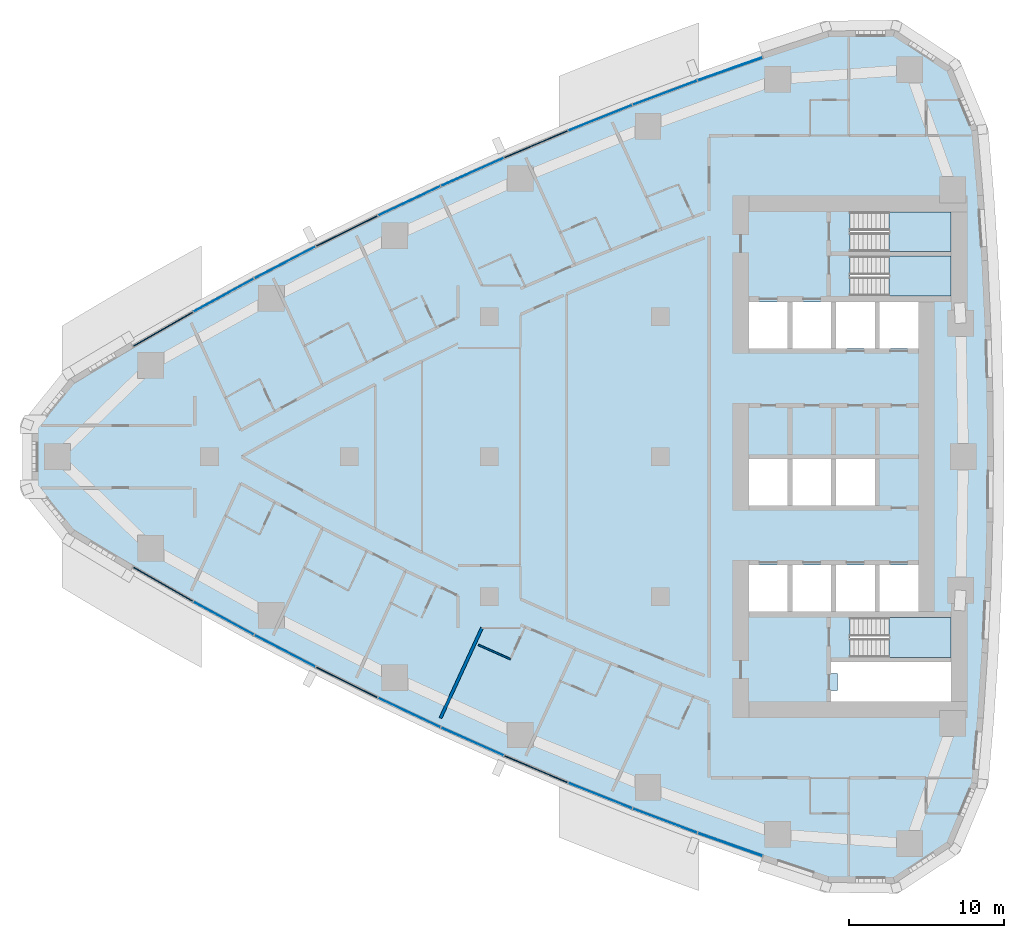
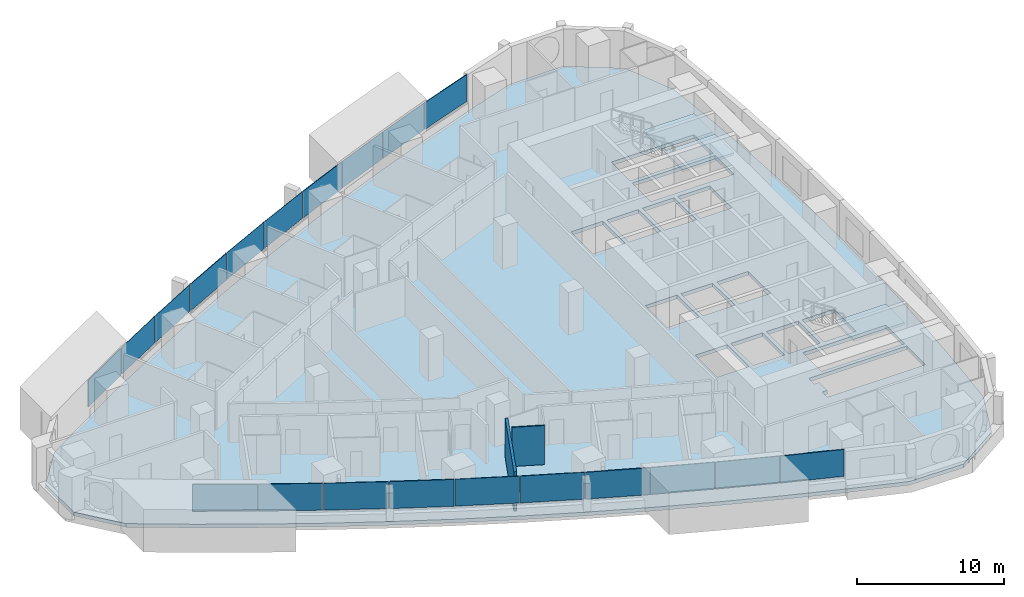
# One storey, part 7 of 17: 20 plates, 4 slabs, 2 walls, 1 opening, 13 elements without a shape of their own.
"""IFC4 building model written with IfcOpenShell, lengths in metres."""

from ifc_helpers import new_model, si_unit, direction, frame, frame_2d, origin, origin_2d, place, context, subcontext, project, spatial, polyline, rectangle, outline, extrude, material, layer, layer_set, type_object, element, aggregate, save


model = new_model("IFC4")

# Units and contexts
model_context = context("Model", 3, precision=1e-05, world=origin(), true_north=direction((0.0, 1.0)))
body_context = subcontext(model_context, "Body", "Model", "MODEL_VIEW")
ifc_project = project(units=[si_unit("LENGTHUNIT", "METRE"), si_unit("AREAUNIT", "SQUARE_METRE"), si_unit("VOLUMEUNIT", "CUBIC_METRE"), si_unit("PLANEANGLEUNIT", "RADIAN"), si_unit("MASSUNIT", "GRAM", prefix="KILO")], contexts=[model_context])

# Site, building, storey
site_placement = place(None, origin())
site = spatial("IfcSite", under=ifc_project, at=site_placement, CompositionType="ELEMENT")
building_placement = place(site_placement, origin())
building = spatial("IfcBuilding", under=site, at=building_placement, Name="Ostrand Prow Hotel Tower", CompositionType="ELEMENT")
storey_placement = place(building_placement, frame((0.0, 0.0, 106.199951171875)))
storey = spatial("IfcBuildingStorey", under=building, at=storey_placement, Name="L25", CompositionType="ELEMENT", Elevation=106.199951171875)

# Curtain wall, plate
ifc_material_1 = material(Name="Insulated glass in bronze anodised frame", Category="glass")
ifc_layer_1 = layer(ifc_material_1, 0.199951171875)
ifc_layer_set_1 = layer_set([ifc_layer_1], Name="Insulated glass in bronze anodised frame")
curtain_wall_type = type_object("IfcCurtainWallType", Name="Strip curtain wall, fritted glass over bronze spandrel", PredefinedType="NOTDEFINED", material=ifc_layer_set_1)
curtain_wall_1_placement = place(storey_placement, origin())
curtain_wall_1 = element("IfcCurtainWall", 1, at=curtain_wall_1_placement, inside=storey, type_object=curtain_wall_type, Name="CW1 run CWS1", PredefinedType="NOTDEFINED")
ifc_material_2 = material(Name="Ceramic-fritted glass", Category="glass")
ifc_layer_2 = layer(ifc_material_2, 0.031982421875)
ifc_layer_set_2 = layer_set([ifc_layer_2], Name="Ceramic-fritted glass")
plate_type_1 = type_object("IfcPlateType", Name="Dot-fritted ceramic glass unit 32 mm", PredefinedType="CURTAIN_PANEL", material=ifc_layer_set_2)
plate_1_placement = place(storey_placement, frame((16.910888671875, -10.39111328125, 1.02001953125), z_axis=(0.0, 0.0, 1.0), x_axis=(0.877466978439, -0.479637052103, 0.0)))
plate_1 = element("IfcPlate", 2, at=plate_1_placement, type_object=plate_type_1, Name="CW1 PN-D panel 2.2", PredefinedType="CURTAIN_PANEL", context=body_context, shape_type="SweptSolid", body=[
    extrude(rectangle(XDim=4.406005859375, YDim=0.031982421875, at=origin_2d()), origin(), (0.0, 0.0, 1.0), 2.22998046875),
])

curtain_wall_2_placement = place(storey_placement, origin())
curtain_wall_2 = element("IfcCurtainWall", 3, at=curtain_wall_2_placement, inside=storey, type_object=curtain_wall_type, Name="CW1 run CWS2", PredefinedType="NOTDEFINED")
plate_2_placement = place(storey_placement, frame((20.8505859375, -12.49365234375, 1.02001953125), z_axis=(0.0, 0.0, 1.0), x_axis=(0.886896367661, -0.461968432937, 0.0)))
plate_2 = element("IfcPlate", 4, at=plate_2_placement, type_object=plate_type_1, Name="CW1 PN-D panel 1.2", PredefinedType="CURTAIN_PANEL", context=body_context, shape_type="SweptSolid", body=[
    extrude(rectangle(XDim=4.406005859375, YDim=0.031982421875, at=origin_2d()), origin(), (0.0, 0.0, 1.0), 2.22998046875),
])

# Curtain wall, plates
curtain_wall_3_placement = place(storey_placement, origin())
curtain_wall_3 = element("IfcCurtainWall", 5, at=curtain_wall_3_placement, inside=storey, type_object=curtain_wall_type, Name="CW1 run CWS3", PredefinedType="NOTDEFINED")
plate_3_placement = place(storey_placement, frame((28.852783203125, -16.4599609375, 1.02001953125), z_axis=(0.0, 0.0, 1.0), x_axis=(0.904685808958, -0.426079320162, 0.0)))
plate_3 = element("IfcPlate", 6, at=plate_3_placement, type_object=plate_type_1, Name="CW1 PN-D panel 1.2", PredefinedType="CURTAIN_PANEL", context=body_context, shape_type="SweptSolid", body=[
    extrude(rectangle(XDim=4.406005859375, YDim=0.031982421875, at=origin_2d()), origin(), (0.0, 0.0, 1.0), 2.22998046875),
])
plate_4_placement = place(storey_placement, frame((32.911865234375, -18.322265625, 1.02001953125), z_axis=(0.0, 0.0, 1.0), x_axis=(0.913037887435, -0.407874755419, 0.0)))
plate_4 = element("IfcPlate", 7, at=plate_4_placement, type_object=plate_type_1, Name="CW1 PN-D panel 2.2", PredefinedType="CURTAIN_PANEL", context=body_context, shape_type="SweptSolid", body=[
    extrude(rectangle(XDim=4.406005859375, YDim=0.031982421875, at=origin_2d()), origin(), (0.0, 0.0, 1.0), 2.22998046875),
])
aggregate(curtain_wall_3, [plate_3, plate_4])

# Curtain wall, plate
curtain_wall_4_placement = place(storey_placement, origin())
curtain_wall_4 = element("IfcCurtainWall", 8, at=curtain_wall_4_placement, inside=storey, type_object=curtain_wall_type, Name="CW1 run CWS4", PredefinedType="NOTDEFINED")
plate_5_placement = place(storey_placement, frame((41.137451171875, -21.801025390625, 1.02001953125), z_axis=(0.0, 0.0, 1.0), x_axis=(0.928640008649, -0.370982121315, 0.0)))
plate_5 = element("IfcPlate", 9, at=plate_5_placement, type_object=plate_type_1, Name="CW1 PN-D panel 2.2", PredefinedType="CURTAIN_PANEL", context=body_context, shape_type="SweptSolid", body=[
    extrude(rectangle(XDim=4.406005859375, YDim=0.031982421875, at=origin_2d()), origin(), (0.0, 0.0, 1.0), 2.22998046875),
])

curtain_wall_5_placement = place(storey_placement, origin())
curtain_wall_5 = element("IfcCurtainWall", 10, at=curtain_wall_5_placement, inside=storey, type_object=curtain_wall_type, Name="CW1 run CWS5", PredefinedType="NOTDEFINED")
plate_6_placement = place(storey_placement, frame((45.301025390625, -23.416015625, 1.02001953125), z_axis=(0.0, 0.0, 1.0), x_axis=(0.935883792387, -0.35230885193, 0.0)))
plate_6 = element("IfcPlate", 11, at=plate_6_placement, type_object=plate_type_1, Name="CW1 PN-D panel 1.2", PredefinedType="CURTAIN_PANEL", context=body_context, shape_type="SweptSolid", body=[
    extrude(rectangle(XDim=4.406005859375, YDim=0.031982421875, at=origin_2d()), origin(), (0.0, 0.0, 1.0), 2.22998046875),
])

curtain_wall_6_placement = place(storey_placement, origin())
curtain_wall_6 = element("IfcCurtainWall", 12, at=curtain_wall_6_placement, inside=storey, type_object=curtain_wall_type, Name="CW1 run CWN1", PredefinedType="NOTDEFINED")
plate_7_placement = place(storey_placement, frame((45.301025390625, 23.416015625, 1.02001953125), z_axis=(0.0, 0.0, 1.0), x_axis=(-0.935883792387, -0.35230885193, 0.0)))
plate_7 = element("IfcPlate", 13, at=plate_7_placement, type_object=plate_type_1, Name="CW1 PN-D panel 2.2", PredefinedType="CURTAIN_PANEL", context=body_context, shape_type="SweptSolid", body=[
    extrude(rectangle(XDim=4.406005859375, YDim=0.031982421875, at=origin_2d()), origin(), (0.0, 0.0, 1.0), 2.22998046875),
])

curtain_wall_7_placement = place(storey_placement, origin())
curtain_wall_7 = element("IfcCurtainWall", 14, at=curtain_wall_7_placement, inside=storey, type_object=curtain_wall_type, Name="CW1 run CWN2", PredefinedType="NOTDEFINED")
plate_8_placement = place(storey_placement, frame((41.137451171875, 21.801025390625, 1.02001953125), z_axis=(0.0, 0.0, 1.0), x_axis=(-0.928640008649, -0.370982121315, 0.0)))
plate_8 = element("IfcPlate", 15, at=plate_8_placement, type_object=plate_type_1, Name="CW1 PN-D panel 1.2", PredefinedType="CURTAIN_PANEL", context=body_context, shape_type="SweptSolid", body=[
    extrude(rectangle(XDim=4.406005859375, YDim=0.031982421875, at=origin_2d()), origin(), (0.0, 0.0, 1.0), 2.22998046875),
])

# Curtain wall, plates
curtain_wall_8_placement = place(storey_placement, origin())
curtain_wall_8 = element("IfcCurtainWall", 16, at=curtain_wall_8_placement, inside=storey, type_object=curtain_wall_type, Name="CW1 run CWN3", PredefinedType="NOTDEFINED")
plate_9_placement = place(storey_placement, frame((32.911865234375, 18.322265625, 1.02001953125), z_axis=(0.0, 0.0, 1.0), x_axis=(-0.913037887435, -0.407874755419, 0.0)))
plate_9 = element("IfcPlate", 17, at=plate_9_placement, type_object=plate_type_1, Name="CW1 PN-D panel 1.2", PredefinedType="CURTAIN_PANEL", context=body_context, shape_type="SweptSolid", body=[
    extrude(rectangle(XDim=4.406005859375, YDim=0.031982421875, at=origin_2d()), origin(), (0.0, 0.0, 1.0), 2.22998046875),
])
plate_10_placement = place(storey_placement, frame((28.852783203125, 16.4599609375, 1.02001953125), z_axis=(0.0, 0.0, 1.0), x_axis=(-0.904685808958, -0.426079320162, 0.0)))
plate_10 = element("IfcPlate", 18, at=plate_10_placement, type_object=plate_type_1, Name="CW1 PN-D panel 2.2", PredefinedType="CURTAIN_PANEL", context=body_context, shape_type="SweptSolid", body=[
    extrude(rectangle(XDim=4.406005859375, YDim=0.031982421875, at=origin_2d()), origin(), (0.0, 0.0, 1.0), 2.22998046875),
])
aggregate(curtain_wall_8, [plate_9, plate_10])

# Curtain wall, plate
curtain_wall_9_placement = place(storey_placement, origin())
curtain_wall_9 = element("IfcCurtainWall", 19, at=curtain_wall_9_placement, inside=storey, type_object=curtain_wall_type, Name="CW1 run CWN4", PredefinedType="NOTDEFINED")
plate_11_placement = place(storey_placement, frame((20.8505859375, 12.49365234375, 1.02001953125), z_axis=(0.0, 0.0, 1.0), x_axis=(-0.886896367661, -0.461968432937, 0.0)))
plate_11 = element("IfcPlate", 20, at=plate_11_placement, type_object=plate_type_1, Name="CW1 PN-D panel 2.2", PredefinedType="CURTAIN_PANEL", context=body_context, shape_type="SweptSolid", body=[
    extrude(rectangle(XDim=4.406005859375, YDim=0.031982421875, at=origin_2d()), origin(), (0.0, 0.0, 1.0), 2.22998046875),
])

curtain_wall_10_placement = place(storey_placement, origin())
curtain_wall_10 = element("IfcCurtainWall", 21, at=curtain_wall_10_placement, inside=storey, type_object=curtain_wall_type, Name="CW1 run CWN5", PredefinedType="NOTDEFINED")
plate_12_placement = place(storey_placement, frame((16.910888671875, 10.39111328125, 1.02001953125), z_axis=(0.0, 0.0, 1.0), x_axis=(-0.877466978439, -0.479637052103, 0.0)))
plate_12 = element("IfcPlate", 22, at=plate_12_placement, type_object=plate_type_1, Name="CW1 PN-D panel 1.2", PredefinedType="CURTAIN_PANEL", context=body_context, shape_type="SweptSolid", body=[
    extrude(rectangle(XDim=4.406005859375, YDim=0.031982421875, at=origin_2d()), origin(), (0.0, 0.0, 1.0), 2.22998046875),
])

# Plate
ifc_material_3 = material(Name="Fritted glass in bronze vent frame", Category="glass")
ifc_layer_3 = layer(ifc_material_3, 0.06005859375)
ifc_layer_set_3 = layer_set([ifc_layer_3], Name="Fritted glass in bronze vent frame")
plate_type_2 = type_object("IfcPlateType", Name="Operable vent panel 60 mm", PredefinedType="CURTAIN_PANEL", material=ifc_layer_set_3)
plate_13_placement = place(storey_placement, frame((13.013916015625, -8.2099609375, 1.02001953125), z_axis=(0.0, 0.0, 1.0), x_axis=(0.867684775301, -0.497114806368, 0.0)))
plate_13 = element("IfcPlate", 23, at=plate_13_placement, type_object=plate_type_2, Name="CW1 PN-O panel 1.2", PredefinedType="CURTAIN_PANEL", context=body_context, shape_type="SweptSolid", body=[
    extrude(rectangle(XDim=4.406005859375, YDim=0.06005859375, at=origin_2d()), origin(), (0.0, 0.0, 1.0), 2.22998046875),
])

aggregate(curtain_wall_1, [plate_13, plate_1])

plate_14_placement = place(storey_placement, frame((24.831787109375, -14.516845703125, 1.02001953125), z_axis=(0.0, 0.0, 1.0), x_axis=(0.895970803653, -0.44411295748, 0.0)))
plate_14 = element("IfcPlate", 24, at=plate_14_placement, type_object=plate_type_2, Name="CW1 PN-O panel 2.2", PredefinedType="CURTAIN_PANEL", context=body_context, shape_type="SweptSolid", body=[
    extrude(rectangle(XDim=4.406005859375, YDim=0.06005859375, at=origin_2d()), origin(), (0.0, 0.0, 1.0), 2.22998046875),
])

aggregate(curtain_wall_2, [plate_2, plate_14])

plate_15_placement = place(storey_placement, frame((37.007080078125, -20.102783203125, 1.02001953125), z_axis=(0.0, 0.0, 1.0), x_axis=(0.921023688536, -0.389506566255, 0.0)))
plate_15 = element("IfcPlate", 25, at=plate_15_placement, type_object=plate_type_2, Name="CW1 PN-O panel 1.2", PredefinedType="CURTAIN_PANEL", context=body_context, shape_type="SweptSolid", body=[
    extrude(rectangle(XDim=4.406005859375, YDim=0.06005859375, at=origin_2d()), origin(), (0.0, 0.0, 1.0), 2.22998046875),
])

aggregate(curtain_wall_4, [plate_15, plate_5])

plate_16_placement = place(storey_placement, frame((49.49609375, -24.947509765625, 1.02001953125), z_axis=(0.0, 0.0, 1.0), x_axis=(0.942751551748, -0.333495894542, 0.0)))
plate_16 = element("IfcPlate", 26, at=plate_16_placement, type_object=plate_type_2, Name="CW1 PN-O panel 2.2", PredefinedType="CURTAIN_PANEL", context=body_context, shape_type="SweptSolid", body=[
    extrude(rectangle(XDim=4.406005859375, YDim=0.06005859375, at=origin_2d()), origin(), (0.0, 0.0, 1.0), 2.22998046875),
])

aggregate(curtain_wall_5, [plate_6, plate_16])

plate_17_placement = place(storey_placement, frame((49.49609375, 24.947509765625, 1.02001953125), z_axis=(0.0, 0.0, 1.0), x_axis=(-0.942751551748, -0.333495894542, 0.0)))
plate_17 = element("IfcPlate", 27, at=plate_17_placement, type_object=plate_type_2, Name="CW1 PN-O panel 1.2", PredefinedType="CURTAIN_PANEL", context=body_context, shape_type="SweptSolid", body=[
    extrude(rectangle(XDim=4.406005859375, YDim=0.06005859375, at=origin_2d()), origin(), (0.0, 0.0, 1.0), 2.22998046875),
])

aggregate(curtain_wall_6, [plate_17, plate_7])

plate_18_placement = place(storey_placement, frame((37.007080078125, 20.102783203125, 1.02001953125), z_axis=(0.0, 0.0, 1.0), x_axis=(-0.921023688536, -0.389506566255, 0.0)))
plate_18 = element("IfcPlate", 28, at=plate_18_placement, type_object=plate_type_2, Name="CW1 PN-O panel 2.2", PredefinedType="CURTAIN_PANEL", context=body_context, shape_type="SweptSolid", body=[
    extrude(rectangle(XDim=4.406005859375, YDim=0.06005859375, at=origin_2d()), origin(), (0.0, 0.0, 1.0), 2.22998046875),
])

aggregate(curtain_wall_7, [plate_8, plate_18])

plate_19_placement = place(storey_placement, frame((24.831787109375, 14.516845703125, 1.02001953125), z_axis=(0.0, 0.0, 1.0), x_axis=(-0.895970803653, -0.44411295748, 0.0)))
plate_19 = element("IfcPlate", 29, at=plate_19_placement, type_object=plate_type_2, Name="CW1 PN-O panel 1.2", PredefinedType="CURTAIN_PANEL", context=body_context, shape_type="SweptSolid", body=[
    extrude(rectangle(XDim=4.406005859375, YDim=0.06005859375, at=origin_2d()), origin(), (0.0, 0.0, 1.0), 2.22998046875),
])

aggregate(curtain_wall_9, [plate_19, plate_11])

plate_20_placement = place(storey_placement, frame((13.013916015625, 8.2099609375, 1.02001953125), z_axis=(0.0, 0.0, 1.0), x_axis=(-0.867684775301, -0.497114806368, 0.0)))
plate_20 = element("IfcPlate", 30, at=plate_20_placement, type_object=plate_type_2, Name="CW1 PN-O panel 2.2", PredefinedType="CURTAIN_PANEL", context=body_context, shape_type="SweptSolid", body=[
    extrude(rectangle(XDim=4.406005859375, YDim=0.06005859375, at=origin_2d()), origin(), (0.0, 0.0, 1.0), 2.22998046875),
])

aggregate(curtain_wall_10, [plate_12, plate_20])

# Slab, opening
ifc_material_4 = material(Name="Concrete C40/50", Category="concrete")
ifc_layer_4 = layer(ifc_material_4, 0.300048828125)
ifc_layer_set_4 = layer_set([ifc_layer_4], Name="Concrete C40/50")
slab_type_1 = type_object("IfcSlabType", Name="PT flat plate 300 C40/50", PredefinedType="FLOOR", material=ifc_layer_set_4)
slab_1_placement = place(storey_placement, frame((0.0, 0.0, -0.300048828125)))
slab_1 = element("IfcSlab", 31, at=slab_1_placement, inside=storey, type_object=slab_type_1, Name="Floor slab L25-1", PredefinedType="FLOOR", context=body_context, shape_type="SweptSolid", body=[
    extrude(outline(polyline([(7.150390625, 4.879638671875), (11.01806640625, 7.19970703125), (14.89501953125, 9.4208984375), (18.81591796875, 11.56396484375), (22.77880859375, 13.628173828125), (26.7822265625, 15.61279296875), (30.82470703125, 17.5166015625), (34.904541015625, 19.339111328125), (39.02001953125, 21.07958984375), (43.16943359375, 22.7373046875), (47.351318359375, 24.311279296875), (51.563720703125, 25.801513671875), (55.839599609375, 27.218505859375), (60.05615234375, 27.271728515625), (63.6103515625, 24.932861328125), (65.2294921875, 21.039306640625), (65.598876953125, 16.81201171875), (65.883544921875, 12.614501953125), (66.087158203125, 8.412353515625), (66.209228515625, 4.206787109375), (66.25, 0.0), (66.209228515625, -4.206787109375), (66.087158203125, -8.412353515625), (65.883544921875, -12.614501953125), (65.598876953125, -16.81201171875), (65.2294921875, -21.039306640625), (63.6103515625, -24.932861328125), (60.05615234375, -27.271728515625), (55.839599609375, -27.218505859375), (51.563720703125, -25.801513671875), (47.351318359375, -24.311279296875), (43.16943359375, -22.7373046875), (39.02001953125, -21.07958984375), (34.904541015625, -19.339111328125), (30.82470703125, -17.5166015625), (26.7822265625, -15.61279296875), (22.77880859375, -13.628173828125), (18.81591796875, -11.56396484375), (14.89501953125, -9.4208984375), (11.01806640625, -7.19970703125), (7.150390625, -4.879638671875), (4.75830078125, -1.923583984375), (4.75830078125, 1.923583984375), (7.150390625, 4.879638671875)]), holes=[polyline([(50.699951171875, 6.949951171875), (53.199951171875, 6.949951171875), (53.199951171875, 9.949951171875), (50.699951171875, 9.949951171875), (50.699951171875, 6.949951171875)]), polyline([(53.5, 6.949951171875), (56.0, 6.949951171875), (56.0, 9.949951171875), (53.5, 9.949951171875), (53.5, 6.949951171875)]), polyline([(56.300048828125, 6.949951171875), (58.800048828125, 6.949951171875), (58.800048828125, 9.949951171875), (56.300048828125, 9.949951171875), (56.300048828125, 6.949951171875)]), polyline([(59.10009765625, 6.949951171875), (61.60009765625, 6.949951171875), (61.60009765625, 9.949951171875), (59.10009765625, 9.949951171875), (59.10009765625, 6.949951171875)]), polyline([(50.699951171875, -3.14990234375), (53.199951171875, -3.14990234375), (53.199951171875, -0.14990234375), (50.699951171875, -0.14990234375), (50.699951171875, -3.14990234375)]), polyline([(53.5, -3.14990234375), (56.0, -3.14990234375), (56.0, -0.14990234375), (53.5, -0.14990234375), (53.5, -3.14990234375)]), polyline([(56.300048828125, -3.14990234375), (58.800048828125, -3.14990234375), (58.800048828125, -0.14990234375), (56.300048828125, -0.14990234375), (56.300048828125, -3.14990234375)]), polyline([(50.699951171875, -9.949951171875), (53.199951171875, -9.949951171875), (53.199951171875, -6.949951171875), (50.699951171875, -6.949951171875), (50.699951171875, -9.949951171875)]), polyline([(53.5, -9.949951171875), (56.0, -9.949951171875), (56.0, -6.949951171875), (53.5, -6.949951171875), (53.5, -9.949951171875)]), polyline([(56.300048828125, -9.949951171875), (58.800048828125, -9.949951171875), (58.800048828125, -6.949951171875), (56.300048828125, -6.949951171875), (56.300048828125, -9.949951171875)]), polyline([(59.10009765625, -9.949951171875), (61.60009765625, -9.949951171875), (61.60009765625, -6.949951171875), (59.10009765625, -6.949951171875), (59.10009765625, -9.949951171875)]), polyline([(57.200927734375, 10.35107421875), (57.200927734375, 12.89892578125), (63.718994140625, 12.89892578125), (63.718994140625, 10.35107421875), (57.200927734375, 10.35107421875)]), polyline([(57.200927734375, 13.200927734375), (57.200927734375, 15.7490234375), (63.718994140625, 15.7490234375), (63.718994140625, 13.200927734375), (57.200927734375, 13.200927734375)]), polyline([(57.200927734375, -12.89892578125), (57.200927734375, -10.35107421875), (63.718994140625, -10.35107421875), (63.718994140625, -12.89892578125), (57.200927734375, -12.89892578125)]), polyline([(56.0, -13.199951171875), (63.719970703125, -13.199951171875), (63.719970703125, -15.75), (56.0, -15.75), (56.0, -15.050048828125), (56.39990234375, -15.050048828125), (56.39990234375, -13.949951171875), (56.0, -13.949951171875), (56.0, -13.199951171875)])]), origin(), (0.0, 0.0, 1.0), 0.300048828125),
])
opening_placement = place(slab_1_placement, origin())
element("IfcOpeningElement", 32, at=opening_placement, cuts=slab_1, Name="Shaft opening 1", PredefinedType="OPENING", context=body_context, shape_type="SweptSolid", body=[
    extrude(outline(polyline([(56.0, -13.199951171875), (63.719970703125, -13.199951171875), (63.719970703125, -15.75), (56.0, -15.75), (56.0, -15.050048828125), (56.39990234375, -15.050048828125), (56.39990234375, -13.949951171875), (56.0, -13.949951171875), (56.0, -13.199951171875)])), origin(), (0.0, 0.0, 1.0), 0.300048828125),
])

# Stair, slab
ifc_material_5 = material(Name="Concrete C40/50", Category="concrete")
stair_type = type_object("IfcStairType", Name="Exit stair 1200 upper zone", PredefinedType="HALF_TURN_STAIR", material=ifc_material_5)
stair_1_placement = place(storey_placement, origin())
stair_1 = element("IfcStair", 33, at=stair_1_placement, inside=storey, type_object=stair_type, Name="L25 ST1C", PredefinedType="HALF_TURN_STAIR")
ifc_material_6 = material(Name="Concrete C40/50", Category="concrete")
ifc_layer_5 = layer(ifc_material_6, 0.199951171875)
ifc_layer_set_5 = layer_set([ifc_layer_5], Name="Concrete C40/50")
slab_type_2 = type_object("IfcSlabType", Name="Stair landing 200 concrete", PredefinedType="LANDING", material=ifc_layer_set_5)
slab_2_placement = place(storey_placement, frame((0.0, 0.0, 1.574951171875)))
slab_2 = element("IfcSlab", 34, at=slab_2_placement, type_object=slab_type_2, Name="ST1C landing 1", PredefinedType="LANDING", context=body_context, shape_type="SweptSolid", body=[
    extrude(outline(polyline([(59.719970703125, 10.35009765625), (63.719970703125, 10.35009765625), (63.719970703125, 12.89990234375), (59.719970703125, 12.89990234375), (59.719970703125, 10.35009765625)])), origin(), (0.0, 0.0, 1.0), 0.2001953125),
])
aggregate(stair_1, [slab_2])

stair_2_placement = place(storey_placement, origin())
stair_2 = element("IfcStair", 35, at=stair_2_placement, inside=storey, type_object=stair_type, Name="L25 ST3C", PredefinedType="HALF_TURN_STAIR")
slab_3_placement = place(storey_placement, frame((0.0, 0.0, 1.574951171875)))
slab_3 = element("IfcSlab", 36, at=slab_3_placement, type_object=slab_type_2, Name="ST3C landing 1", PredefinedType="LANDING", context=body_context, shape_type="SweptSolid", body=[
    extrude(outline(polyline([(59.719970703125, 13.199951171875), (63.719970703125, 13.199951171875), (63.719970703125, 15.75), (59.719970703125, 15.75), (59.719970703125, 13.199951171875)])), origin(), (0.0, 0.0, 1.0), 0.2001953125),
])
aggregate(stair_2, [slab_3])

stair_3_placement = place(storey_placement, origin())
stair_3 = element("IfcStair", 37, at=stair_3_placement, inside=storey, type_object=stair_type, Name="L25 ST2C", PredefinedType="HALF_TURN_STAIR")
slab_4_placement = place(storey_placement, frame((0.0, 0.0, 1.574951171875)))
slab_4 = element("IfcSlab", 38, at=slab_4_placement, type_object=slab_type_2, Name="ST2C landing 1", PredefinedType="LANDING", context=body_context, shape_type="SweptSolid", body=[
    extrude(outline(polyline([(59.719970703125, -12.89990234375), (63.719970703125, -12.89990234375), (63.719970703125, -10.35009765625), (59.719970703125, -10.35009765625), (59.719970703125, -12.89990234375)])), origin(), (0.0, 0.0, 1.0), 0.2001953125),
])
aggregate(stair_3, [slab_4])

# Walls
ifc_material_7 = material(Name="Plasterboard partition")
ifc_layer_6 = layer(ifc_material_7, 0.10009765625)
ifc_layer_set_6 = layer_set([ifc_layer_6], Name="Plasterboard partition")
wall_type_1 = type_object("IfcWallType", Name="Partition 100 bathroom wall", PredefinedType="PARTITIONING", material=ifc_layer_set_6)
wall_1_placement = place(storey_placement, frame((35.35400390625, -13.023193359375, 0.0), z_axis=(0.0, 0.0, 1.0), x_axis=(-0.913060453705, 0.407824236504, 0.0)))
element("IfcWall", 39, at=wall_1_placement, inside=storey, type_object=wall_type_1, Name="BATHROOM WALL", PredefinedType="PARTITIONING", context=body_context, shape_type="SweptSolid", body=[
    extrude(rectangle(XDim=2.2431640625, YDim=0.10009765625, at=frame_2d((1.12158203125, 0.0))), origin(), (0.0, 0.0, 1.0), 3.25),
])
ifc_material_8 = material(Name="Plasterboard partition")
ifc_layer_7 = layer(ifc_material_8, 0.199951171875)
ifc_layer_set_7 = layer_set([ifc_layer_7], Name="Plasterboard partition")
wall_type_2 = type_object("IfcWallType", Name="Partition 200 key partition", PredefinedType="PARTITIONING", material=ifc_layer_set_7)
wall_2_placement = place(storey_placement, frame((30.861083984375, -16.815185546875, 0.0), z_axis=(0.0, 0.0, 1.0), x_axis=(0.417441426461, 0.908703832651, 0.0)))
element("IfcWall", 40, at=wall_2_placement, inside=storey, type_object=wall_type_2, Name="KEY PARTITION", PredefinedType="PARTITIONING", context=body_context, shape_type="SweptSolid", body=[
    extrude(rectangle(XDim=6.3994140625, YDim=0.199951171875, at=frame_2d((3.19970703125, 0.0))), origin(), (0.0, 0.0, 1.0), 3.25),
])

save(model, "model.ifc")
